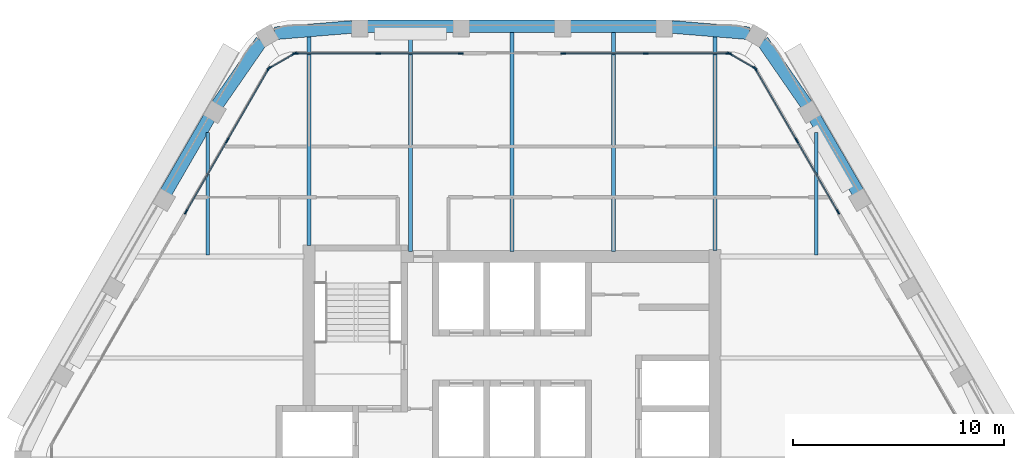
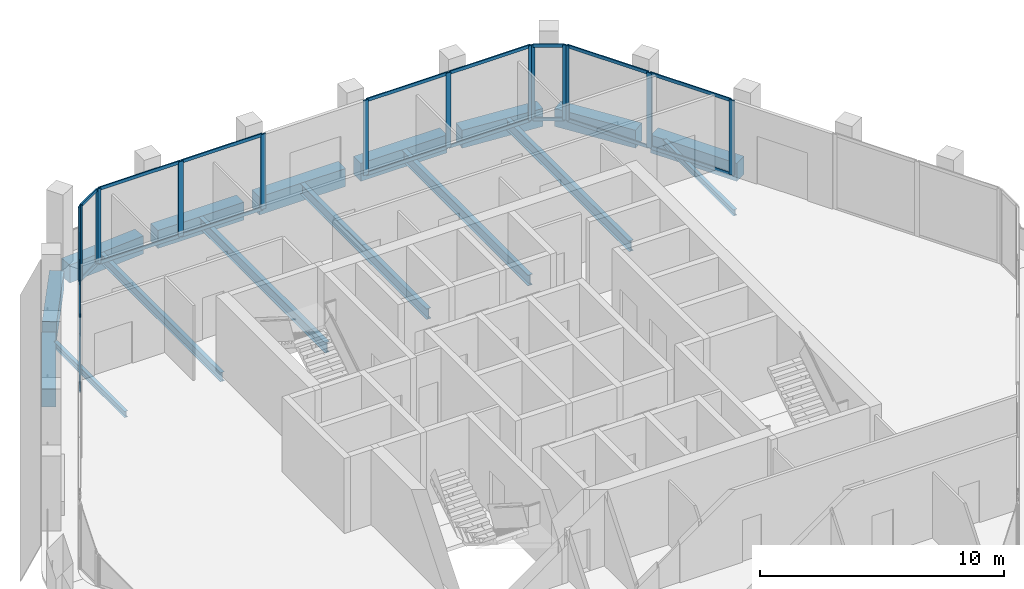
# One storey, part 5 of 14: 36 members, 16 beams, 6 elements without a shape of their own.
"""IFC4 building model written with IfcOpenShell, lengths in metres."""

from ifc_helpers import new_model, si_unit, direction, frame, origin, origin_2d, place, context, subcontext, project, spatial, rectangle, i_section, extrude, material, material_profile, profile_set, type_object, element, aggregate, save


model = new_model("IFC4")

# Units and contexts
model_context = context("Model", 3, precision=1e-05, world=origin(), true_north=direction((0.0, 1.0)))
body_context = subcontext(model_context, "Body", "Model", "MODEL_VIEW")
ifc_project = project(units=[si_unit("LENGTHUNIT", "METRE"), si_unit("AREAUNIT", "SQUARE_METRE"), si_unit("VOLUMEUNIT", "CUBIC_METRE"), si_unit("PLANEANGLEUNIT", "RADIAN"), si_unit("MASSUNIT", "GRAM", prefix="KILO")], contexts=[model_context])

# Site, building, storey
site_placement = place(None, origin())
site = spatial("IfcSite", under=ifc_project, at=site_placement, CompositionType="ELEMENT")
building_placement = place(site_placement, origin())
building = spatial("IfcBuilding", under=site, at=building_placement, Name="Kolab Exchange Tower", CompositionType="ELEMENT")
storey_placement = place(building_placement, frame((0.0, 0.0, 246.199951171875)))
storey = spatial("IfcBuildingStorey", under=building, at=storey_placement, Name="L54", CompositionType="ELEMENT", Elevation=246.199951171875)

# Beams
ifc_material_1 = material(Name="Steel S355", Category="steel")
ifc_material_profile_1 = material_profile(ifc_material_1, i_section(OverallWidth=0.1650390625, OverallDepth=0.31005859375, WebThickness=0.005859375, FlangeThickness=0.009765625, at=origin_2d()), Name="W310X39")
ifc_profile_set_1 = profile_set([ifc_material_profile_1], Name="Steel S355")
beam_type_1 = type_object("IfcBeamType", Name="FLOOR BEAM W310X39", PredefinedType="BEAM", material=ifc_profile_set_1)
for number, where, z_axis, x_axis, name in (
    (1, (-14.39990234375, 9.674072265625, -0.304931640625), (0.0, 1.0, 0.0), (-1.0, 0.0, 0.0), "beam/L54/fr/004"),
    (2, (14.39990234375, 9.674072265625, -0.304931640625), (0.0, 1.0, 0.0), (-1.0, 0.0, 0.0), "beam/L54/fr/019"),
):
    element("IfcBeam", number, at=place(storey_placement, frame(where, z_axis=z_axis, x_axis=x_axis)), inside=storey, type_object=beam_type_1, Name=name, PredefinedType="BEAM", context=body_context, shape_type="SweptSolid", body=[
        extrude(i_section(OverallWidth=0.1650390625, OverallDepth=0.31005859375, WebThickness=0.005859375, FlangeThickness=0.009765625, at=origin_2d()), origin(), (0.0, 0.0, 1.0), 5.793701171875),
    ])
ifc_material_profile_2 = material_profile(ifc_material_1, i_section(OverallWidth=0.18994140625, OverallDepth=0.45703125, WebThickness=0.009033203125, FlangeThickness=0.014404296875, at=origin_2d()), Name="W460X74")
ifc_profile_set_2 = profile_set([ifc_material_profile_2], Name="Steel S355")
beam_type_2 = type_object("IfcBeamType", Name="FLOOR BEAM W460X74", PredefinedType="BEAM", material=ifc_profile_set_2)
beam_1_placement = place(storey_placement, frame((-9.60009765625, 10.110107421875, -0.37841796875), z_axis=(0.0, 1.0, 0.0), x_axis=(-1.0, 0.0, 0.0)))
element("IfcBeam", 3, at=beam_1_placement, inside=storey, type_object=beam_type_2, Name="beam/L54/fr/006", PredefinedType="BEAM", context=body_context, shape_type="SweptSolid", body=[
    extrude(i_section(OverallWidth=0.18994140625, OverallDepth=0.45703125, WebThickness=0.009033203125, FlangeThickness=0.014404296875, at=origin_2d()), origin(), (0.0, 0.0, 1.0), 9.9169921875),
])
ifc_material_profile_3 = material_profile(ifc_material_1, i_section(OverallWidth=0.208984375, OverallDepth=0.532958984375, WebThickness=0.01025390625, FlangeThickness=0.015625, at=origin_2d()), Name="W530X92")
ifc_profile_set_3 = profile_set([ifc_material_profile_3], Name="Steel S355")
beam_type_3 = type_object("IfcBeamType", Name="FLOOR BEAM W530X92", PredefinedType="BEAM", material=ifc_profile_set_3)
for number, where, z_axis, x_axis, name in (
    (4, (-4.800048828125, 9.8349609375, -0.41650390625), (0.0, 1.0, 0.0), (-1.0, 0.0, 0.0), "beam/L54/fr/008"),
    (5, (0.0, 9.8349609375, -0.41650390625), (0.0, 1.0, 0.0), (-1.0, 0.0, 0.0), "beam/L54/fr/010"),
    (6, (4.800048828125, 9.8349609375, -0.41650390625), (0.0, 1.0, 0.0), (-1.0, 0.0, 0.0), "beam/L54/fr/012"),
):
    element("IfcBeam", number, at=place(storey_placement, frame(where, z_axis=z_axis, x_axis=x_axis)), inside=storey, type_object=beam_type_3, Name=name, PredefinedType="BEAM", context=body_context, shape_type="SweptSolid", body=[
        extrude(i_section(OverallWidth=0.208984375, OverallDepth=0.532958984375, WebThickness=0.01025390625, FlangeThickness=0.015625, at=origin_2d()), origin(), (0.0, 0.0, 1.0), 10.3896484375),
    ])
beam_2_placement = place(storey_placement, frame((9.60009765625, 9.885009765625, -0.41650390625), z_axis=(0.0, 1.0, 0.0), x_axis=(-1.0, 0.0, 0.0)))
element("IfcBeam", 7, at=beam_2_placement, inside=storey, type_object=beam_type_3, Name="beam/L54/fr/014", PredefinedType="BEAM", context=body_context, shape_type="SweptSolid", body=[
    extrude(i_section(OverallWidth=0.208984375, OverallDepth=0.532958984375, WebThickness=0.01025390625, FlangeThickness=0.015625, at=origin_2d()), origin(), (0.0, 0.0, 1.0), 10.14208984375),
])
ifc_material_2 = material(Name="Concrete C50/60", Category="concrete")
ifc_material_profile_4 = material_profile(ifc_material_2, rectangle(XDim=0.60009765625, YDim=0.89990234375, at=origin_2d()), Name="RC600X900")
ifc_profile_set_4 = profile_set([ifc_material_profile_4], Name="Concrete C50/60")
beam_type_4 = type_object("IfcBeamType", Name="SPANDREL BEAM 600X900 C50/60", PredefinedType="BEAM", material=ifc_profile_set_4)
beam_3_placement = place(storey_placement, frame((-11.216796875, 20.15576171875, -0.599853515625), z_axis=(0.996666751878, 0.081580547323, 0.0), x_axis=(-0.081580547323, 0.996666751878, 0.0)))
element("IfcBeam", 8, at=beam_3_placement, inside=storey, type_object=beam_type_4, Name="beam/L54/sp/F1-01", PredefinedType="BEAM", context=body_context, shape_type="SweptSolid", body=[
    extrude(rectangle(XDim=0.60009765625, YDim=0.89990234375, at=origin_2d()), origin(), (0.0, 0.0, 1.0), 3.6689453125),
])
for number, where, z_axis, x_axis, name in (
    (9, (-6.840087890625, 20.484619140625, -0.599853515625), (1.0, 0.0, 0.0), (0.0, 1.0, 0.0), "beam/L54/sp/F1-02"),
    (10, (-2.0400390625, 20.484619140625, -0.599853515625), (1.0, 0.0, 0.0), (0.0, 1.0, 0.0), "beam/L54/sp/F1-03"),
    (11, (2.760009765625, 20.484619140625, -0.599853515625), (1.0, 0.0, 0.0), (0.0, 1.0, 0.0), "beam/L54/sp/F1-04"),
):
    element("IfcBeam", number, at=place(storey_placement, frame(where, z_axis=z_axis, x_axis=x_axis)), inside=storey, type_object=beam_type_4, Name=name, PredefinedType="BEAM", context=body_context, shape_type="SweptSolid", body=[
        extrude(rectangle(XDim=0.60009765625, YDim=0.89990234375, at=origin_2d()), origin(), (0.0, 0.0, 1.0), 4.080078125),
    ])
for number, where, z_axis, x_axis, name in (
    (12, (7.56005859375, 20.455078125, -0.599853515625), (0.996666751878, -0.081580547323, 0.0), (0.081580547323, 0.996666751878, 0.0), "beam/L54/sp/F1-05"),
    (13, (11.846923828125, 19.7919921875, -0.599853515625), (0.569005808573, -0.822333502789, 0.0), (0.822333502789, 0.569005808573, 0.0), "beam/L54/sp/F2-01"),
):
    element("IfcBeam", number, at=place(storey_placement, frame(where, z_axis=z_axis, x_axis=x_axis)), inside=storey, type_object=beam_type_4, Name=name, PredefinedType="BEAM", context=body_context, shape_type="SweptSolid", body=[
        extrude(rectangle(XDim=0.60009765625, YDim=0.89990234375, at=origin_2d()), origin(), (0.0, 0.0, 1.0), 3.6689453125),
    ])
for number, where, z_axis, x_axis, name in (
    (14, (14.3203125, 16.166015625, -0.599853515625), (0.499955548806, -0.866051066172, 0.0), (0.866051066172, 0.499955548806, 0.0), "beam/L54/sp/F2-02"),
    (15, (-16.360107421875, 12.632568359375, -0.599853515625), (0.499955548806, 0.866051066172, 0.0), (-0.866051066172, 0.499955548806, 0.0), "beam/L54/sp/F6-04"),
):
    element("IfcBeam", number, at=place(storey_placement, frame(where, z_axis=z_axis, x_axis=x_axis)), inside=storey, type_object=beam_type_4, Name=name, PredefinedType="BEAM", context=body_context, shape_type="SweptSolid", body=[
        extrude(rectangle(XDim=0.60009765625, YDim=0.89990234375, at=origin_2d()), origin(), (0.0, 0.0, 1.0), 4.079833984375),
    ])
beam_4_placement = place(storey_placement, frame((-13.9345703125, 16.77490234375, -0.599853515625), z_axis=(0.569005808573, 0.822333502789, 0.0), x_axis=(-0.822333502789, 0.569005808573, 0.0)))
element("IfcBeam", 16, at=beam_4_placement, inside=storey, type_object=beam_type_4, Name="beam/L54/sp/F6-05", PredefinedType="BEAM", context=body_context, shape_type="SweptSolid", body=[
    extrude(rectangle(XDim=0.60009765625, YDim=0.89990234375, at=origin_2d()), origin(), (0.0, 0.0, 1.0), 3.6689453125),
])

# Curtain wall, members
ifc_material_3 = material(Name="Aluminium EN AW-6063 T6", Category="aluminium")
curtain_wall_type = type_object("IfcCurtainWallType", Name="UNITISED HIGH ZONE CURTAIN WALL", PredefinedType="NOTDEFINED", material=ifc_material_3)
curtain_wall_1_placement = place(storey_placement, origin())
curtain_wall_1 = element("IfcCurtainWall", 17, at=curtain_wall_1_placement, inside=storey, type_object=curtain_wall_type, Name="cw/L54/F1-1", PredefinedType="NOTDEFINED")
ifc_material_profile_5 = material_profile(ifc_material_3, rectangle(XDim=0.06005859375, YDim=0.239990234375, at=origin_2d()), Name="RECT 60X240")
ifc_profile_set_5 = profile_set([ifc_material_profile_5], Name="Aluminium EN AW-6063 T6")
member_type_1 = type_object("IfcMemberType", Name="UNITISED HIGH ZONE MULLION 60 X 240", PredefinedType="MULLION", material=ifc_profile_set_5)
member_1_placement = place(storey_placement, frame((-10.238037109375, 19.20458984375, 0.0), z_axis=(0.0, 0.0, 1.0), x_axis=(0.0, 1.0, 0.0)))
member_1 = element("IfcMember", 18, at=member_1_placement, type_object=member_type_1, Name="CW4 mullion 1", PredefinedType="MULLION", context=body_context, shape_type="SweptSolid", body=[
    extrude(rectangle(XDim=0.06005859375, YDim=0.239990234375, at=origin_2d()), origin(), (0.0, 0.0, 1.0), 3.75),
])
member_2_placement = place(storey_placement, frame((-6.333984375, 19.20458984375, 0.0), z_axis=(0.0, 0.0, 1.0), x_axis=(0.0, 1.0, 0.0)))
member_2 = element("IfcMember", 19, at=member_2_placement, type_object=member_type_1, Name="CW4 mullion 2", PredefinedType="MULLION", context=body_context, shape_type="SweptSolid", body=[
    extrude(rectangle(XDim=0.06005859375, YDim=0.239990234375, at=origin_2d()), origin(), (0.0, 0.0, 1.0), 3.75),
])
member_3_placement = place(storey_placement, frame((-2.429931640625, 19.20458984375, 0.0), z_axis=(0.0, 0.0, 1.0), x_axis=(0.0, 1.0, 0.0)))
member_3 = element("IfcMember", 20, at=member_3_placement, type_object=member_type_1, Name="CW4 mullion 3", PredefinedType="MULLION", context=body_context, shape_type="SweptSolid", body=[
    extrude(rectangle(XDim=0.06005859375, YDim=0.239990234375, at=origin_2d()), origin(), (0.0, 0.0, 1.0), 3.75),
])

curtain_wall_2_placement = place(storey_placement, origin())
curtain_wall_2 = element("IfcCurtainWall", 21, at=curtain_wall_2_placement, inside=storey, type_object=curtain_wall_type, Name="cw/L54/F1-2", PredefinedType="NOTDEFINED")
member_4_placement = place(storey_placement, frame((2.429931640625, 19.20458984375, 0.0), z_axis=(0.0, 0.0, 1.0), x_axis=(0.0, 1.0, 0.0)))
member_4 = element("IfcMember", 22, at=member_4_placement, type_object=member_type_1, Name="CW4 mullion 1", PredefinedType="MULLION", context=body_context, shape_type="SweptSolid", body=[
    extrude(rectangle(XDim=0.06005859375, YDim=0.239990234375, at=origin_2d()), origin(), (0.0, 0.0, 1.0), 3.75),
])
member_5_placement = place(storey_placement, frame((6.333984375, 19.20458984375, 0.0), z_axis=(0.0, 0.0, 1.0), x_axis=(0.0, 1.0, 0.0)))
member_5 = element("IfcMember", 23, at=member_5_placement, type_object=member_type_1, Name="CW4 mullion 2", PredefinedType="MULLION", context=body_context, shape_type="SweptSolid", body=[
    extrude(rectangle(XDim=0.06005859375, YDim=0.239990234375, at=origin_2d()), origin(), (0.0, 0.0, 1.0), 3.75),
])
member_6_placement = place(storey_placement, frame((10.238037109375, 19.20458984375, 0.0), z_axis=(0.0, 0.0, 1.0), x_axis=(0.0, 1.0, 0.0)))
member_6 = element("IfcMember", 24, at=member_6_placement, type_object=member_type_1, Name="CW4 mullion 3", PredefinedType="MULLION", context=body_context, shape_type="SweptSolid", body=[
    extrude(rectangle(XDim=0.06005859375, YDim=0.239990234375, at=origin_2d()), origin(), (0.0, 0.0, 1.0), 3.75),
])

curtain_wall_3_placement = place(storey_placement, origin())
curtain_wall_3 = element("IfcCurtainWall", 25, at=curtain_wall_3_placement, inside=storey, type_object=curtain_wall_type, Name="cw/L54/F2-1", PredefinedType="NOTDEFINED")
member_7_placement = place(storey_placement, frame((11.5126953125, 18.46875, 0.0), z_axis=(0.0, 0.0, 1.0), x_axis=(0.866025385493, 0.500000031681, 0.0)))
member_7 = element("IfcMember", 26, at=member_7_placement, type_object=member_type_1, Name="CW4 mullion 1", PredefinedType="MULLION", context=body_context, shape_type="SweptSolid", body=[
    extrude(rectangle(XDim=0.06005859375, YDim=0.239990234375, at=origin_2d()), origin(), (0.0, 0.0, 1.0), 3.75),
])
member_8_placement = place(storey_placement, frame((13.464599609375, 15.087646484375, 0.0), z_axis=(0.0, 0.0, 1.0), x_axis=(0.866025385493, 0.500000031681, 0.0)))
member_8 = element("IfcMember", 27, at=member_8_placement, type_object=member_type_1, Name="CW4 mullion 2", PredefinedType="MULLION", context=body_context, shape_type="SweptSolid", body=[
    extrude(rectangle(XDim=0.06005859375, YDim=0.239990234375, at=origin_2d()), origin(), (0.0, 0.0, 1.0), 3.75),
])
member_9_placement = place(storey_placement, frame((15.416748046875, 11.706787109375, 0.0), z_axis=(0.0, 0.0, 1.0), x_axis=(0.866025385493, 0.500000031681, 0.0)))
member_9 = element("IfcMember", 28, at=member_9_placement, type_object=member_type_1, Name="CW4 mullion 3", PredefinedType="MULLION", context=body_context, shape_type="SweptSolid", body=[
    extrude(rectangle(XDim=0.06005859375, YDim=0.239990234375, at=origin_2d()), origin(), (0.0, 0.0, 1.0), 3.75),
])

curtain_wall_4_placement = place(storey_placement, origin())
curtain_wall_4 = element("IfcCurtainWall", 29, at=curtain_wall_4_placement, inside=storey, type_object=curtain_wall_type, Name="cw/L54/F6-2", PredefinedType="NOTDEFINED")
member_10_placement = place(storey_placement, frame((-15.416748046875, 11.706787109375, 0.0), z_axis=(0.0, 0.0, 1.0), x_axis=(-0.866025385493, 0.500000031681, 0.0)))
member_10 = element("IfcMember", 30, at=member_10_placement, type_object=member_type_1, Name="CW4 mullion 1", PredefinedType="MULLION", context=body_context, shape_type="SweptSolid", body=[
    extrude(rectangle(XDim=0.06005859375, YDim=0.239990234375, at=origin_2d()), origin(), (0.0, 0.0, 1.0), 3.75),
])
member_11_placement = place(storey_placement, frame((-13.464599609375, 15.087646484375, 0.0), z_axis=(0.0, 0.0, 1.0), x_axis=(-0.866025385493, 0.500000031681, 0.0)))
member_11 = element("IfcMember", 31, at=member_11_placement, type_object=member_type_1, Name="CW4 mullion 2", PredefinedType="MULLION", context=body_context, shape_type="SweptSolid", body=[
    extrude(rectangle(XDim=0.06005859375, YDim=0.239990234375, at=origin_2d()), origin(), (0.0, 0.0, 1.0), 3.75),
])
member_12_placement = place(storey_placement, frame((-11.5126953125, 18.46875, 0.0), z_axis=(0.0, 0.0, 1.0), x_axis=(-0.866025385493, 0.500000031681, 0.0)))
member_12 = element("IfcMember", 32, at=member_12_placement, type_object=member_type_1, Name="CW4 mullion 3", PredefinedType="MULLION", context=body_context, shape_type="SweptSolid", body=[
    extrude(rectangle(XDim=0.06005859375, YDim=0.239990234375, at=origin_2d()), origin(), (0.0, 0.0, 1.0), 3.75),
])

curtain_wall_5_placement = place(storey_placement, origin())
curtain_wall_5 = element("IfcCurtainWall", 33, at=curtain_wall_5_placement, inside=storey, type_object=curtain_wall_type, Name="cw/L54/F1F2-corner", PredefinedType="NOTDEFINED")
member_13_placement = place(storey_placement, frame((10.2939453125, 19.189697265625, 0.0), z_axis=(0.0, 0.0, 1.0), x_axis=(0.50000002237, 0.866025390869, 0.0)))
member_13 = element("IfcMember", 34, at=member_13_placement, type_object=member_type_1, Name="CW4 mullion 1", PredefinedType="MULLION", context=body_context, shape_type="SweptSolid", body=[
    extrude(rectangle(XDim=0.06005859375, YDim=0.239990234375, at=origin_2d()), origin(), (0.0, 0.0, 1.0), 3.75),
])
member_14_placement = place(storey_placement, frame((11.4716796875, 18.509521484375, 0.0), z_axis=(0.0, 0.0, 1.0), x_axis=(0.50000002237, 0.866025390869, 0.0)))
member_14 = element("IfcMember", 35, at=member_14_placement, type_object=member_type_1, Name="CW4 mullion 2", PredefinedType="MULLION", context=body_context, shape_type="SweptSolid", body=[
    extrude(rectangle(XDim=0.06005859375, YDim=0.239990234375, at=origin_2d()), origin(), (0.0, 0.0, 1.0), 3.75),
])

curtain_wall_6_placement = place(storey_placement, origin())
curtain_wall_6 = element("IfcCurtainWall", 36, at=curtain_wall_6_placement, inside=storey, type_object=curtain_wall_type, Name="cw/L54/F6F1-corner", PredefinedType="NOTDEFINED")
member_15_placement = place(storey_placement, frame((-11.4716796875, 18.509521484375, 0.0), z_axis=(0.0, 0.0, 1.0), x_axis=(-0.50000002237, 0.866025390869, 0.0)))
member_15 = element("IfcMember", 37, at=member_15_placement, type_object=member_type_1, Name="CW4 mullion 1", PredefinedType="MULLION", context=body_context, shape_type="SweptSolid", body=[
    extrude(rectangle(XDim=0.06005859375, YDim=0.239990234375, at=origin_2d()), origin(), (0.0, 0.0, 1.0), 3.75),
])
member_16_placement = place(storey_placement, frame((-10.2939453125, 19.189697265625, 0.0), z_axis=(0.0, 0.0, 1.0), x_axis=(-0.50000002237, 0.866025390869, 0.0)))
member_16 = element("IfcMember", 38, at=member_16_placement, type_object=member_type_1, Name="CW4 mullion 2", PredefinedType="MULLION", context=body_context, shape_type="SweptSolid", body=[
    extrude(rectangle(XDim=0.06005859375, YDim=0.239990234375, at=origin_2d()), origin(), (0.0, 0.0, 1.0), 3.75),
])

# Member
ifc_material_profile_6 = material_profile(ifc_material_3, rectangle(XDim=0.06005859375, YDim=0.159912109375, at=origin_2d()), Name="RECT 60X160")
ifc_profile_set_6 = profile_set([ifc_material_profile_6], Name="Aluminium EN AW-6063 T6")
member_type_2 = type_object("IfcMemberType", Name="UNITISED HIGH ZONE TRANSOM 60 X 160", PredefinedType="USERDEFINED", material=ifc_profile_set_6)
member_17_placement = place(storey_placement, frame((-10.2080078125, 19.20458984375, 0.030029296875), z_axis=(1.0, 0.0, 0.0), x_axis=(0.0, 1.0, 0.0)))
member_17 = element("IfcMember", 39, at=member_17_placement, type_object=member_type_2, Name="CW4 transom 1.1", ObjectType="TRANSOM", PredefinedType="USERDEFINED", context=body_context, shape_type="SweptSolid", body=[
    extrude(rectangle(XDim=0.06005859375, YDim=0.159912109375, at=origin_2d()), origin(), (0.0, 0.0, 1.0), 3.843994140625),
])

member_18_placement = place(storey_placement, frame((-10.2080078125, 19.20458984375, 3.719970703125), z_axis=(1.0, 0.0, 0.0), x_axis=(0.0, 1.0, 0.0)))
member_18 = element("IfcMember", 40, at=member_18_placement, type_object=member_type_2, Name="CW4 transom 1.2", ObjectType="TRANSOM", PredefinedType="USERDEFINED", context=body_context, shape_type="SweptSolid", body=[
    extrude(rectangle(XDim=0.06005859375, YDim=0.159912109375, at=origin_2d()), origin(), (0.0, 0.0, 1.0), 3.843994140625),
])

member_19_placement = place(storey_placement, frame((-6.303955078125, 19.20458984375, 0.030029296875), z_axis=(1.0, 0.0, 0.0), x_axis=(0.0, 1.0, 0.0)))
member_19 = element("IfcMember", 41, at=member_19_placement, type_object=member_type_2, Name="CW4 transom 2.1", ObjectType="TRANSOM", PredefinedType="USERDEFINED", context=body_context, shape_type="SweptSolid", body=[
    extrude(rectangle(XDim=0.06005859375, YDim=0.159912109375, at=origin_2d()), origin(), (0.0, 0.0, 1.0), 3.843994140625),
])

member_20_placement = place(storey_placement, frame((-6.303955078125, 19.20458984375, 3.719970703125), z_axis=(1.0, 0.0, 0.0), x_axis=(0.0, 1.0, 0.0)))
member_20 = element("IfcMember", 42, at=member_20_placement, type_object=member_type_2, Name="CW4 transom 2.2", ObjectType="TRANSOM", PredefinedType="USERDEFINED", context=body_context, shape_type="SweptSolid", body=[
    extrude(rectangle(XDim=0.06005859375, YDim=0.159912109375, at=origin_2d()), origin(), (0.0, 0.0, 1.0), 3.843994140625),
])

aggregate(curtain_wall_1, [member_1, member_2, member_3, member_17, member_18, member_19, member_20])

member_21_placement = place(storey_placement, frame((2.4599609375, 19.20458984375, 0.030029296875), z_axis=(1.0, 0.0, 0.0), x_axis=(0.0, 1.0, 0.0)))
member_21 = element("IfcMember", 43, at=member_21_placement, type_object=member_type_2, Name="CW4 transom 1.1", ObjectType="TRANSOM", PredefinedType="USERDEFINED", context=body_context, shape_type="SweptSolid", body=[
    extrude(rectangle(XDim=0.06005859375, YDim=0.159912109375, at=origin_2d()), origin(), (0.0, 0.0, 1.0), 3.843994140625),
])

member_22_placement = place(storey_placement, frame((2.4599609375, 19.20458984375, 3.719970703125), z_axis=(1.0, 0.0, 0.0), x_axis=(0.0, 1.0, 0.0)))
member_22 = element("IfcMember", 44, at=member_22_placement, type_object=member_type_2, Name="CW4 transom 1.2", ObjectType="TRANSOM", PredefinedType="USERDEFINED", context=body_context, shape_type="SweptSolid", body=[
    extrude(rectangle(XDim=0.06005859375, YDim=0.159912109375, at=origin_2d()), origin(), (0.0, 0.0, 1.0), 3.843994140625),
])

member_23_placement = place(storey_placement, frame((6.364013671875, 19.20458984375, 0.030029296875), z_axis=(1.0, 0.0, 0.0), x_axis=(0.0, 1.0, 0.0)))
member_23 = element("IfcMember", 45, at=member_23_placement, type_object=member_type_2, Name="CW4 transom 2.1", ObjectType="TRANSOM", PredefinedType="USERDEFINED", context=body_context, shape_type="SweptSolid", body=[
    extrude(rectangle(XDim=0.06005859375, YDim=0.159912109375, at=origin_2d()), origin(), (0.0, 0.0, 1.0), 3.843994140625),
])

member_24_placement = place(storey_placement, frame((6.364013671875, 19.20458984375, 3.719970703125), z_axis=(1.0, 0.0, 0.0), x_axis=(0.0, 1.0, 0.0)))
member_24 = element("IfcMember", 46, at=member_24_placement, type_object=member_type_2, Name="CW4 transom 2.2", ObjectType="TRANSOM", PredefinedType="USERDEFINED", context=body_context, shape_type="SweptSolid", body=[
    extrude(rectangle(XDim=0.06005859375, YDim=0.159912109375, at=origin_2d()), origin(), (0.0, 0.0, 1.0), 3.843994140625),
])

aggregate(curtain_wall_2, [member_4, member_5, member_6, member_21, member_22, member_23, member_24])

member_25_placement = place(storey_placement, frame((11.527587890625, 18.442626953125, 0.030029296875), z_axis=(0.500039492609, -0.866002601515, 0.0), x_axis=(0.866002601515, 0.500039492609, 0.0)))
member_25 = element("IfcMember", 47, at=member_25_placement, type_object=member_type_2, Name="CW4 transom 1.1", ObjectType="TRANSOM", PredefinedType="USERDEFINED", context=body_context, shape_type="SweptSolid", body=[
    extrude(rectangle(XDim=0.06005859375, YDim=0.159912109375, at=origin_2d()), origin(), (0.0, 0.0, 1.0), 3.843994140625),
])

member_26_placement = place(storey_placement, frame((11.527587890625, 18.442626953125, 3.719970703125), z_axis=(0.500039492609, -0.866002601515, 0.0), x_axis=(0.866002601515, 0.500039492609, 0.0)))
member_26 = element("IfcMember", 48, at=member_26_placement, type_object=member_type_2, Name="CW4 transom 1.2", ObjectType="TRANSOM", PredefinedType="USERDEFINED", context=body_context, shape_type="SweptSolid", body=[
    extrude(rectangle(XDim=0.06005859375, YDim=0.159912109375, at=origin_2d()), origin(), (0.0, 0.0, 1.0), 3.843994140625),
])

member_27_placement = place(storey_placement, frame((13.479736328125, 15.061767578125, 0.030029296875), z_axis=(0.499964356602, -0.866045981532, 0.0), x_axis=(0.866045981532, 0.499964356602, 0.0)))
member_27 = element("IfcMember", 49, at=member_27_placement, type_object=member_type_2, Name="CW4 transom 2.1", ObjectType="TRANSOM", PredefinedType="USERDEFINED", context=body_context, shape_type="SweptSolid", body=[
    extrude(rectangle(XDim=0.06005859375, YDim=0.159912109375, at=origin_2d()), origin(), (0.0, 0.0, 1.0), 3.843994140625),
])

member_28_placement = place(storey_placement, frame((13.479736328125, 15.061767578125, 3.719970703125), z_axis=(0.499964356602, -0.866045981532, 0.0), x_axis=(0.866045981532, 0.499964356602, 0.0)))
member_28 = element("IfcMember", 50, at=member_28_placement, type_object=member_type_2, Name="CW4 transom 2.2", ObjectType="TRANSOM", PredefinedType="USERDEFINED", context=body_context, shape_type="SweptSolid", body=[
    extrude(rectangle(XDim=0.06005859375, YDim=0.159912109375, at=origin_2d()), origin(), (0.0, 0.0, 1.0), 3.843994140625),
])

aggregate(curtain_wall_3, [member_7, member_8, member_9, member_25, member_26, member_27, member_28])

member_29_placement = place(storey_placement, frame((-15.401611328125, 11.732666015625, 0.030029296875), z_axis=(0.499964356602, 0.866045981532, 0.0), x_axis=(-0.866045981532, 0.499964356602, 0.0)))
member_29 = element("IfcMember", 51, at=member_29_placement, type_object=member_type_2, Name="CW4 transom 1.1", ObjectType="TRANSOM", PredefinedType="USERDEFINED", context=body_context, shape_type="SweptSolid", body=[
    extrude(rectangle(XDim=0.06005859375, YDim=0.159912109375, at=origin_2d()), origin(), (0.0, 0.0, 1.0), 3.843994140625),
])

member_30_placement = place(storey_placement, frame((-15.401611328125, 11.732666015625, 3.719970703125), z_axis=(0.499964356602, 0.866045981532, 0.0), x_axis=(-0.866045981532, 0.499964356602, 0.0)))
member_30 = element("IfcMember", 52, at=member_30_placement, type_object=member_type_2, Name="CW4 transom 1.2", ObjectType="TRANSOM", PredefinedType="USERDEFINED", context=body_context, shape_type="SweptSolid", body=[
    extrude(rectangle(XDim=0.06005859375, YDim=0.159912109375, at=origin_2d()), origin(), (0.0, 0.0, 1.0), 3.843994140625),
])

member_31_placement = place(storey_placement, frame((-13.44970703125, 15.11376953125, 0.030029296875), z_axis=(0.500039492609, 0.866002601515, 0.0), x_axis=(-0.866002601515, 0.500039492609, 0.0)))
member_31 = element("IfcMember", 53, at=member_31_placement, type_object=member_type_2, Name="CW4 transom 2.1", ObjectType="TRANSOM", PredefinedType="USERDEFINED", context=body_context, shape_type="SweptSolid", body=[
    extrude(rectangle(XDim=0.06005859375, YDim=0.159912109375, at=origin_2d()), origin(), (0.0, 0.0, 1.0), 3.843994140625),
])

member_32_placement = place(storey_placement, frame((-13.44970703125, 15.11376953125, 3.719970703125), z_axis=(0.500039492609, 0.866002601515, 0.0), x_axis=(-0.866002601515, 0.500039492609, 0.0)))
member_32 = element("IfcMember", 54, at=member_32_placement, type_object=member_type_2, Name="CW4 transom 2.2", ObjectType="TRANSOM", PredefinedType="USERDEFINED", context=body_context, shape_type="SweptSolid", body=[
    extrude(rectangle(XDim=0.06005859375, YDim=0.159912109375, at=origin_2d()), origin(), (0.0, 0.0, 1.0), 3.843994140625),
])

aggregate(curtain_wall_4, [member_10, member_11, member_12, member_29, member_30, member_31, member_32])

member_33_placement = place(storey_placement, frame((10.31982421875, 19.174560546875, 0.030029296875), z_axis=(0.866085525409, -0.49989585183, 0.0), x_axis=(0.49989585183, 0.866085525409, 0.0)))
member_33 = element("IfcMember", 55, at=member_33_placement, type_object=member_type_2, Name="CW4 transom 1.1", ObjectType="TRANSOM", PredefinedType="USERDEFINED", context=body_context, shape_type="SweptSolid", body=[
    extrude(rectangle(XDim=0.06005859375, YDim=0.159912109375, at=origin_2d()), origin(), (0.0, 0.0, 1.0), 1.300048828125),
])

member_34_placement = place(storey_placement, frame((10.31982421875, 19.174560546875, 3.719970703125), z_axis=(0.866085525409, -0.49989585183, 0.0), x_axis=(0.49989585183, 0.866085525409, 0.0)))
member_34 = element("IfcMember", 56, at=member_34_placement, type_object=member_type_2, Name="CW4 transom 1.2", ObjectType="TRANSOM", PredefinedType="USERDEFINED", context=body_context, shape_type="SweptSolid", body=[
    extrude(rectangle(XDim=0.06005859375, YDim=0.159912109375, at=origin_2d()), origin(), (0.0, 0.0, 1.0), 1.300048828125),
])

aggregate(curtain_wall_5, [member_13, member_14, member_33, member_34])

member_35_placement = place(storey_placement, frame((-11.44580078125, 18.524658203125, 0.030029296875), z_axis=(0.866085525409, 0.49989585183, 0.0), x_axis=(-0.49989585183, 0.866085525409, 0.0)))
member_35 = element("IfcMember", 57, at=member_35_placement, type_object=member_type_2, Name="CW4 transom 1.1", ObjectType="TRANSOM", PredefinedType="USERDEFINED", context=body_context, shape_type="SweptSolid", body=[
    extrude(rectangle(XDim=0.06005859375, YDim=0.159912109375, at=origin_2d()), origin(), (0.0, 0.0, 1.0), 1.300048828125),
])

member_36_placement = place(storey_placement, frame((-11.44580078125, 18.524658203125, 3.719970703125), z_axis=(0.866085525409, 0.49989585183, 0.0), x_axis=(-0.49989585183, 0.866085525409, 0.0)))
member_36 = element("IfcMember", 58, at=member_36_placement, type_object=member_type_2, Name="CW4 transom 1.2", ObjectType="TRANSOM", PredefinedType="USERDEFINED", context=body_context, shape_type="SweptSolid", body=[
    extrude(rectangle(XDim=0.06005859375, YDim=0.159912109375, at=origin_2d()), origin(), (0.0, 0.0, 1.0), 1.300048828125),
])

aggregate(curtain_wall_6, [member_15, member_16, member_35, member_36])

save(model, "model.ifc")
